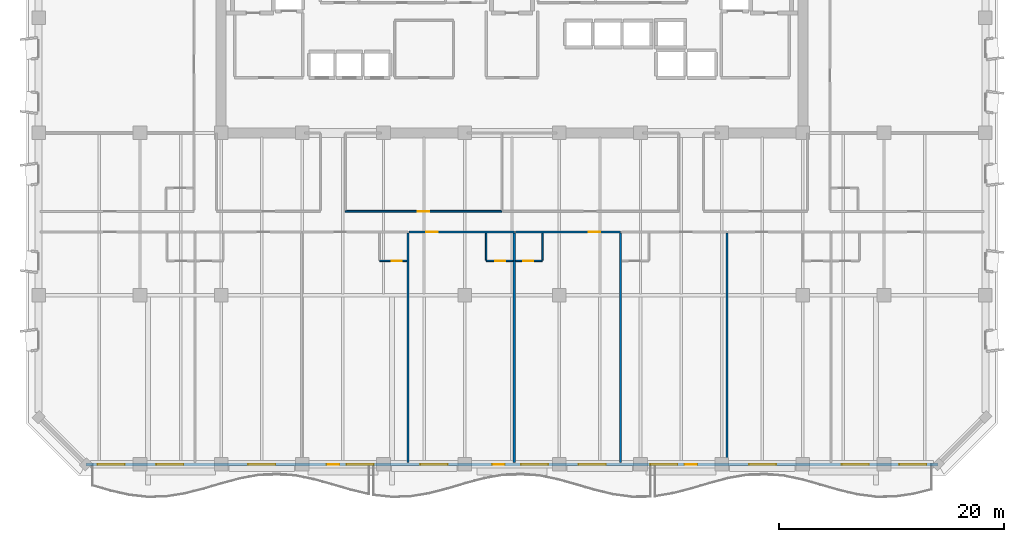
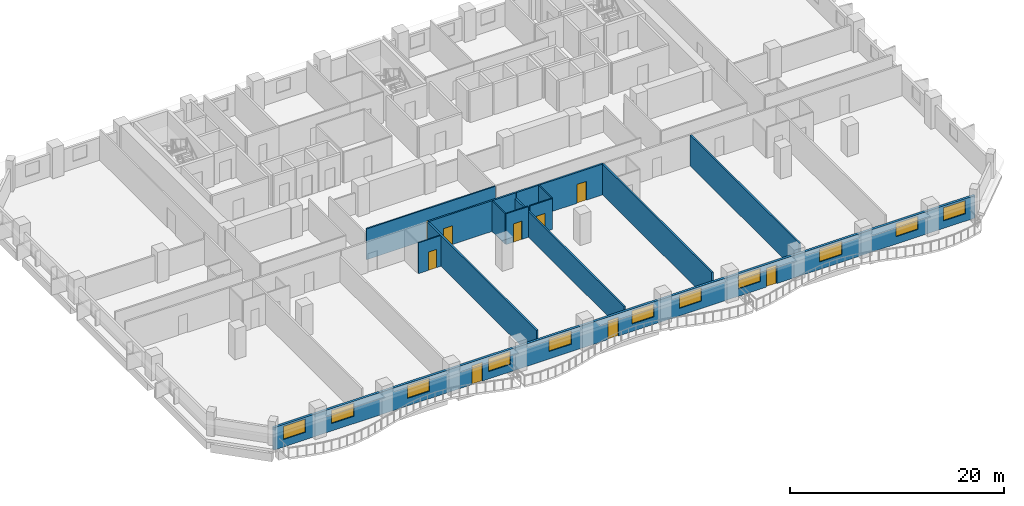
# One storey, part 5 of 14: 13 walls, 11 windows, 9 doors, 20 openings.
"""IFC4 building model written with IfcOpenShell, lengths in metres."""

from ifc_helpers import new_model, si_unit, direction, frame, frame_2d, origin, place, context, subcontext, project, spatial, rectangle, extrude, material, layer, layer_set, type_object, element, fill, save


model = new_model("IFC4")

# Units and contexts
model_context = context("Model", 3, precision=1e-05, world=origin(), true_north=direction((0.0, 1.0)))
body_context = subcontext(model_context, "Body", "Model", "MODEL_VIEW")
ifc_project = project(units=[si_unit("LENGTHUNIT", "METRE"), si_unit("AREAUNIT", "SQUARE_METRE"), si_unit("VOLUMEUNIT", "CUBIC_METRE"), si_unit("PLANEANGLEUNIT", "RADIAN"), si_unit("MASSUNIT", "GRAM", prefix="KILO")], contexts=[model_context])

# Site, building, storey
site_placement = place(None, origin())
site = spatial("IfcSite", under=ifc_project, at=site_placement, CompositionType="ELEMENT")
building_placement = place(site_placement, origin())
building = spatial("IfcBuilding", under=site, at=building_placement, Name="Kaelvorn Grand Hotel", CompositionType="ELEMENT")
storey_placement = place(building_placement, frame((0.0, 0.0, 93.050048828125)))
storey = spatial("IfcBuildingStorey", under=building, at=storey_placement, Name="L21", CompositionType="ELEMENT", Elevation=93.050048828125)

# Wall, openings, doors, windows
ifc_material_1 = material(Name="Concrete C40/50", Category="concrete")
ifc_layer_1 = layer(ifc_material_1, 0.260009765625)
ifc_layer_set_1 = layer_set([ifc_layer_1], Name="Concrete C40/50")
wall_type_1 = type_object("IfcWallType", Name="WL-EXT-260-C40", PredefinedType="SOLIDWALL", material=ifc_layer_set_1)
wall_1_placement = place(storey_placement, frame((4.199951171875, 0.0, 0.0), z_axis=(0.0, 0.0, 1.0), x_axis=(1.0, 0.0, 0.0)))
wall_1 = element("IfcWall", 1, at=wall_1_placement, inside=storey, type_object=wall_type_1, Name="L21 Exterior Architectural Concrete Wall 01", PredefinedType="SOLIDWALL", context=body_context, shape_type="SweptSolid", body=[
    extrude(rectangle(XDim=75.60009765625, YDim=0.260009765625, at=frame_2d((37.800048828125, 0.0))), origin(), (0.0, 0.0, 1.0), 2.56005859375),
])
opening_1_placement = place(wall_1_placement, frame((21.38330078125, 0.0, 0.0)))
opening_1 = element("IfcOpeningElement", 2, at=opening_1_placement, cuts=wall_1, Name="Opening DE2", PredefinedType="OPENING", context=body_context, shape_type="SweptSolid", body=[
    extrude(rectangle(XDim=1.10009765625, YDim=2.14990234375, at=frame_2d((0.550048828125, 1.074951171875))), frame((0.0, 0.14013671875, 0.0), z_axis=(0.0, -1.0, 0.0), x_axis=(1.0, 0.0, 0.0)), (0.0, 0.0, 1.0), 0.280029296875),
])
opening_2_placement = place(wall_1_placement, frame((36.050048828125, 0.0, 0.0)))
opening_2 = element("IfcOpeningElement", 3, at=opening_2_placement, cuts=wall_1, Name="Opening DE2", PredefinedType="OPENING", context=body_context, shape_type="SweptSolid", body=[
    extrude(rectangle(XDim=1.10009765625, YDim=2.14990234375, at=frame_2d((0.550048828125, 1.074951171875))), frame((0.0, 0.14013671875, 0.0), z_axis=(0.0, -1.0, 0.0), x_axis=(1.0, 0.0, 0.0)), (0.0, 0.0, 1.0), 0.280029296875),
])
opening_3_placement = place(wall_1_placement, frame((53.11669921875, 0.0, 0.0)))
opening_3 = element("IfcOpeningElement", 4, at=opening_3_placement, cuts=wall_1, Name="Opening DE2", PredefinedType="OPENING", context=body_context, shape_type="SweptSolid", body=[
    extrude(rectangle(XDim=1.10009765625, YDim=2.14990234375, at=frame_2d((0.550048828125, 1.074951171875))), frame((0.0, 0.14013671875, 0.0), z_axis=(0.0, -1.0, 0.0), x_axis=(1.0, 0.0, 0.0)), (0.0, 0.0, 1.0), 0.280029296875),
])
opening_4_placement = place(wall_1_placement, frame((1.034912109375, 0.0, 0.85009765625)))
opening_4 = element("IfcOpeningElement", 5, at=opening_4_placement, cuts=wall_1, Name="Opening W6", PredefinedType="OPENING", context=body_context, shape_type="SweptSolid", body=[
    extrude(rectangle(XDim=2.39990234375, YDim=1.5, at=frame_2d((1.199951171875, 0.75))), frame((0.0, 0.14013671875, 0.0), z_axis=(0.0, -1.0, 0.0), x_axis=(1.0, 0.0, 0.0)), (0.0, 0.0, 1.0), 0.280029296875),
])
opening_5_placement = place(wall_1_placement, frame((6.243896484375, 0.0, 0.85009765625)))
opening_5 = element("IfcOpeningElement", 6, at=opening_5_placement, cuts=wall_1, Name="Opening W6", PredefinedType="OPENING", context=body_context, shape_type="SweptSolid", body=[
    extrude(rectangle(XDim=2.39990234375, YDim=1.5, at=frame_2d((1.199951171875, 0.75))), frame((0.0, 0.14013671875, 0.0), z_axis=(0.0, -1.0, 0.0), x_axis=(1.0, 0.0, 0.0)), (0.0, 0.0, 1.0), 0.280029296875),
])
opening_6_placement = place(wall_1_placement, frame((14.39990234375, 0.0, 0.85009765625)))
opening_6 = element("IfcOpeningElement", 7, at=opening_6_placement, cuts=wall_1, Name="Opening W6", PredefinedType="OPENING", context=body_context, shape_type="SweptSolid", body=[
    extrude(rectangle(XDim=2.39990234375, YDim=1.5, at=frame_2d((1.199951171875, 0.75))), frame((0.0, 0.14013671875, 0.0), z_axis=(0.0, -1.0, 0.0), x_axis=(1.0, 0.0, 0.0)), (0.0, 0.0, 1.0), 0.280029296875),
])
opening_7_placement = place(wall_1_placement, frame((23.126708984375, 0.0, 0.85009765625)))
opening_7 = element("IfcOpeningElement", 8, at=opening_7_placement, cuts=wall_1, Name="Opening W6", PredefinedType="OPENING", context=body_context, shape_type="SweptSolid", body=[
    extrude(rectangle(XDim=2.39990234375, YDim=1.5, at=frame_2d((1.199951171875, 0.75))), frame((0.0, 0.14013671875, 0.0), z_axis=(0.0, -1.0, 0.0), x_axis=(1.0, 0.0, 0.0)), (0.0, 0.0, 1.0), 0.280029296875),
])
opening_8_placement = place(wall_1_placement, frame((29.681396484375, 0.0, 0.85009765625)))
opening_8 = element("IfcOpeningElement", 9, at=opening_8_placement, cuts=wall_1, Name="Opening W6", PredefinedType="OPENING", context=body_context, shape_type="SweptSolid", body=[
    extrude(rectangle(XDim=2.39990234375, YDim=1.5, at=frame_2d((1.199951171875, 0.75))), frame((0.0, 0.14013671875, 0.0), z_axis=(0.0, -1.0, 0.0), x_axis=(1.0, 0.0, 0.0)), (0.0, 0.0, 1.0), 0.280029296875),
])
opening_9_placement = place(wall_1_placement, frame((38.6005859375, 0.0, 0.85009765625)))
opening_9 = element("IfcOpeningElement", 10, at=opening_9_placement, cuts=wall_1, Name="Opening W6", PredefinedType="OPENING", context=body_context, shape_type="SweptSolid", body=[
    extrude(rectangle(XDim=2.39990234375, YDim=1.5, at=frame_2d((1.199951171875, 0.75))), frame((0.0, 0.14013671875, 0.0), z_axis=(0.0, -1.0, 0.0), x_axis=(1.0, 0.0, 0.0)), (0.0, 0.0, 1.0), 0.280029296875),
])
opening_10_placement = place(wall_1_placement, frame((43.719482421875, 0.0, 0.85009765625)))
opening_10 = element("IfcOpeningElement", 11, at=opening_10_placement, cuts=wall_1, Name="Opening W6", PredefinedType="OPENING", context=body_context, shape_type="SweptSolid", body=[
    extrude(rectangle(XDim=2.39990234375, YDim=1.5, at=frame_2d((1.199951171875, 0.75))), frame((0.0, 0.14013671875, 0.0), z_axis=(0.0, -1.0, 0.0), x_axis=(1.0, 0.0, 0.0)), (0.0, 0.0, 1.0), 0.280029296875),
])
opening_11_placement = place(wall_1_placement, frame((50.0732421875, 0.0, 0.85009765625)))
opening_11 = element("IfcOpeningElement", 12, at=opening_11_placement, cuts=wall_1, Name="Opening W6", PredefinedType="OPENING", context=body_context, shape_type="SweptSolid", body=[
    extrude(rectangle(XDim=2.39990234375, YDim=1.5, at=frame_2d((1.199951171875, 0.75))), frame((0.0, 0.14013671875, 0.0), z_axis=(0.0, -1.0, 0.0), x_axis=(1.0, 0.0, 0.0)), (0.0, 0.0, 1.0), 0.280029296875),
])
opening_12_placement = place(wall_1_placement, frame((58.837890625, 0.0, 0.85009765625)))
opening_12 = element("IfcOpeningElement", 13, at=opening_12_placement, cuts=wall_1, Name="Opening W6", PredefinedType="OPENING", context=body_context, shape_type="SweptSolid", body=[
    extrude(rectangle(XDim=2.39990234375, YDim=1.5, at=frame_2d((1.199951171875, 0.75))), frame((0.0, 0.14013671875, 0.0), z_axis=(0.0, -1.0, 0.0), x_axis=(1.0, 0.0, 0.0)), (0.0, 0.0, 1.0), 0.280029296875),
])
opening_13_placement = place(wall_1_placement, frame((67.056396484375, 0.0, 0.85009765625)))
opening_13 = element("IfcOpeningElement", 14, at=opening_13_placement, cuts=wall_1, Name="Opening W6", PredefinedType="OPENING", context=body_context, shape_type="SweptSolid", body=[
    extrude(rectangle(XDim=2.39990234375, YDim=1.5, at=frame_2d((1.199951171875, 0.75))), frame((0.0, 0.14013671875, 0.0), z_axis=(0.0, -1.0, 0.0), x_axis=(1.0, 0.0, 0.0)), (0.0, 0.0, 1.0), 0.280029296875),
])
opening_14_placement = place(wall_1_placement, frame((72.1650390625, 0.0, 0.85009765625)))
opening_14 = element("IfcOpeningElement", 15, at=opening_14_placement, cuts=wall_1, Name="Opening W6", PredefinedType="OPENING", context=body_context, shape_type="SweptSolid", body=[
    extrude(rectangle(XDim=2.39990234375, YDim=1.5, at=frame_2d((1.199951171875, 0.75))), frame((0.0, 0.14013671875, 0.0), z_axis=(0.0, -1.0, 0.0), x_axis=(1.0, 0.0, 0.0)), (0.0, 0.0, 1.0), 0.280029296875),
])
ifc_material_2 = material(Name="Anodised Aluminium", Category="aluminium")
door_type_1 = type_object("IfcDoorType", Name="DR-EXT-BALC-1100x2150", OperationType="NOTDEFINED", PredefinedType="DOOR", material=ifc_material_2)
door_1_placement = place(opening_1_placement, origin())
door_1 = element("IfcDoor", 16, at=door_1_placement, inside=storey, type_object=door_type_1, Name="L21 Scalloped Balcony Glazed Door DE2-1", OperationType="SINGLE_SWING_LEFT", OverallHeight=2.14990234375, OverallWidth=1.10009765625, PredefinedType="DOOR", context=body_context, shape_type="SweptSolid", body=[
    extrude(rectangle(XDim=1.10009765625, YDim=2.14990234375, at=frame_2d((0.550048828125, 1.074951171875))), frame((0.0, 0.02490234375, 0.0), z_axis=(0.0, -1.0, 0.0), x_axis=(1.0, 0.0, 0.0)), (0.0, 0.0, 1.0), 0.050048828125),
])
fill(opening_1, door_1)
door_2_placement = place(opening_2_placement, origin())
door_2 = element("IfcDoor", 17, at=door_2_placement, inside=storey, type_object=door_type_1, Name="L21 Scalloped Balcony Glazed Door DE2-2", OperationType="SINGLE_SWING_RIGHT", OverallHeight=2.14990234375, OverallWidth=1.10009765625, PredefinedType="DOOR", context=body_context, shape_type="SweptSolid", body=[
    extrude(rectangle(XDim=1.10009765625, YDim=2.14990234375, at=frame_2d((0.550048828125, 1.074951171875))), frame((0.0, 0.02490234375, 0.0), z_axis=(0.0, -1.0, 0.0), x_axis=(1.0, 0.0, 0.0)), (0.0, 0.0, 1.0), 0.050048828125),
])
fill(opening_2, door_2)
door_3_placement = place(opening_3_placement, origin())
door_3 = element("IfcDoor", 18, at=door_3_placement, inside=storey, type_object=door_type_1, Name="L21 Scalloped Balcony Glazed Door DE2-3", OperationType="SINGLE_SWING_LEFT", OverallHeight=2.14990234375, OverallWidth=1.10009765625, PredefinedType="DOOR", context=body_context, shape_type="SweptSolid", body=[
    extrude(rectangle(XDim=1.10009765625, YDim=2.14990234375, at=frame_2d((0.550048828125, 1.074951171875))), frame((0.0, 0.02490234375, 0.0), z_axis=(0.0, -1.0, 0.0), x_axis=(1.0, 0.0, 0.0)), (0.0, 0.0, 1.0), 0.050048828125),
])
fill(opening_3, door_3)
ifc_material_3 = material(Name="Laminated Low-E Glass", Category="glass")
window_type = type_object("IfcWindowType", Name="WIN-NTH-2400x1500", PartitioningType="SINGLE_PANEL", PredefinedType="WINDOW", material=ifc_material_3)
window_1_placement = place(opening_4_placement, origin())
window_1 = element("IfcWindow", 19, at=window_1_placement, inside=storey, type_object=window_type, Name="L21 South Guestroom Ribbon Window SR01", OverallHeight=1.5, OverallWidth=2.39990234375, PartitioningType="SINGLE_PANEL", PredefinedType="WINDOW", context=body_context, shape_type="SweptSolid", body=[
    extrude(rectangle(XDim=2.39990234375, YDim=1.5, at=frame_2d((1.199951171875, 0.75))), frame((0.0, 0.030029296875, 0.0), z_axis=(0.0, -1.0, 0.0), x_axis=(1.0, 0.0, 0.0)), (0.0, 0.0, 1.0), 0.06005859375),
])
fill(opening_4, window_1)
window_2_placement = place(opening_5_placement, origin())
window_2 = element("IfcWindow", 20, at=window_2_placement, inside=storey, type_object=window_type, Name="L21 South Guestroom Ribbon Window SR02", OverallHeight=1.5, OverallWidth=2.39990234375, PartitioningType="SINGLE_PANEL", PredefinedType="WINDOW", context=body_context, shape_type="SweptSolid", body=[
    extrude(rectangle(XDim=2.39990234375, YDim=1.5, at=frame_2d((1.199951171875, 0.75))), frame((0.0, 0.030029296875, 0.0), z_axis=(0.0, -1.0, 0.0), x_axis=(1.0, 0.0, 0.0)), (0.0, 0.0, 1.0), 0.06005859375),
])
fill(opening_5, window_2)
window_3_placement = place(opening_6_placement, origin())
window_3 = element("IfcWindow", 21, at=window_3_placement, inside=storey, type_object=window_type, Name="L21 South Guestroom Ribbon Window SR03", OverallHeight=1.5, OverallWidth=2.39990234375, PartitioningType="SINGLE_PANEL", PredefinedType="WINDOW", context=body_context, shape_type="SweptSolid", body=[
    extrude(rectangle(XDim=2.39990234375, YDim=1.5, at=frame_2d((1.199951171875, 0.75))), frame((0.0, 0.030029296875, 0.0), z_axis=(0.0, -1.0, 0.0), x_axis=(1.0, 0.0, 0.0)), (0.0, 0.0, 1.0), 0.06005859375),
])
fill(opening_6, window_3)
window_4_placement = place(opening_7_placement, origin())
window_4 = element("IfcWindow", 22, at=window_4_placement, inside=storey, type_object=window_type, Name="L21 South Guestroom Ribbon Window SR04", OverallHeight=1.5, OverallWidth=2.39990234375, PartitioningType="SINGLE_PANEL", PredefinedType="WINDOW", context=body_context, shape_type="SweptSolid", body=[
    extrude(rectangle(XDim=2.39990234375, YDim=1.5, at=frame_2d((1.199951171875, 0.75))), frame((0.0, 0.030029296875, 0.0), z_axis=(0.0, -1.0, 0.0), x_axis=(1.0, 0.0, 0.0)), (0.0, 0.0, 1.0), 0.06005859375),
])
fill(opening_7, window_4)
window_5_placement = place(opening_8_placement, origin())
window_5 = element("IfcWindow", 23, at=window_5_placement, inside=storey, type_object=window_type, Name="L21 South Guestroom Ribbon Window SR05", OverallHeight=1.5, OverallWidth=2.39990234375, PartitioningType="SINGLE_PANEL", PredefinedType="WINDOW", context=body_context, shape_type="SweptSolid", body=[
    extrude(rectangle(XDim=2.39990234375, YDim=1.5, at=frame_2d((1.199951171875, 0.75))), frame((0.0, 0.030029296875, 0.0), z_axis=(0.0, -1.0, 0.0), x_axis=(1.0, 0.0, 0.0)), (0.0, 0.0, 1.0), 0.06005859375),
])
fill(opening_8, window_5)
window_6_placement = place(opening_9_placement, origin())
window_6 = element("IfcWindow", 24, at=window_6_placement, inside=storey, type_object=window_type, Name="L21 South Guestroom Ribbon Window SR06", OverallHeight=1.5, OverallWidth=2.39990234375, PartitioningType="SINGLE_PANEL", PredefinedType="WINDOW", context=body_context, shape_type="SweptSolid", body=[
    extrude(rectangle(XDim=2.39990234375, YDim=1.5, at=frame_2d((1.199951171875, 0.75))), frame((0.0, 0.030029296875, 0.0), z_axis=(0.0, -1.0, 0.0), x_axis=(1.0, 0.0, 0.0)), (0.0, 0.0, 1.0), 0.06005859375),
])
fill(opening_9, window_6)
window_7_placement = place(opening_10_placement, origin())
window_7 = element("IfcWindow", 25, at=window_7_placement, inside=storey, type_object=window_type, Name="L21 South Guestroom Ribbon Window SR07", OverallHeight=1.5, OverallWidth=2.39990234375, PartitioningType="SINGLE_PANEL", PredefinedType="WINDOW", context=body_context, shape_type="SweptSolid", body=[
    extrude(rectangle(XDim=2.39990234375, YDim=1.5, at=frame_2d((1.199951171875, 0.75))), frame((0.0, 0.030029296875, 0.0), z_axis=(0.0, -1.0, 0.0), x_axis=(1.0, 0.0, 0.0)), (0.0, 0.0, 1.0), 0.06005859375),
])
fill(opening_10, window_7)
window_8_placement = place(opening_11_placement, origin())
window_8 = element("IfcWindow", 26, at=window_8_placement, inside=storey, type_object=window_type, Name="L21 South Guestroom Ribbon Window SR08", OverallHeight=1.5, OverallWidth=2.39990234375, PartitioningType="SINGLE_PANEL", PredefinedType="WINDOW", context=body_context, shape_type="SweptSolid", body=[
    extrude(rectangle(XDim=2.39990234375, YDim=1.5, at=frame_2d((1.199951171875, 0.75))), frame((0.0, 0.030029296875, 0.0), z_axis=(0.0, -1.0, 0.0), x_axis=(1.0, 0.0, 0.0)), (0.0, 0.0, 1.0), 0.06005859375),
])
fill(opening_11, window_8)
window_9_placement = place(opening_12_placement, origin())
window_9 = element("IfcWindow", 27, at=window_9_placement, inside=storey, type_object=window_type, Name="L21 South Guestroom Ribbon Window SR09", OverallHeight=1.5, OverallWidth=2.39990234375, PartitioningType="SINGLE_PANEL", PredefinedType="WINDOW", context=body_context, shape_type="SweptSolid", body=[
    extrude(rectangle(XDim=2.39990234375, YDim=1.5, at=frame_2d((1.199951171875, 0.75))), frame((0.0, 0.030029296875, 0.0), z_axis=(0.0, -1.0, 0.0), x_axis=(1.0, 0.0, 0.0)), (0.0, 0.0, 1.0), 0.06005859375),
])
fill(opening_12, window_9)
window_10_placement = place(opening_13_placement, origin())
window_10 = element("IfcWindow", 28, at=window_10_placement, inside=storey, type_object=window_type, Name="L21 South Guestroom Ribbon Window SR10", OverallHeight=1.5, OverallWidth=2.39990234375, PartitioningType="SINGLE_PANEL", PredefinedType="WINDOW", context=body_context, shape_type="SweptSolid", body=[
    extrude(rectangle(XDim=2.39990234375, YDim=1.5, at=frame_2d((1.199951171875, 0.75))), frame((0.0, 0.030029296875, 0.0), z_axis=(0.0, -1.0, 0.0), x_axis=(1.0, 0.0, 0.0)), (0.0, 0.0, 1.0), 0.06005859375),
])
fill(opening_13, window_10)
window_11_placement = place(opening_14_placement, origin())
window_11 = element("IfcWindow", 29, at=window_11_placement, inside=storey, type_object=window_type, Name="L21 South Guestroom Ribbon Window SR11", OverallHeight=1.5, OverallWidth=2.39990234375, PartitioningType="SINGLE_PANEL", PredefinedType="WINDOW", context=body_context, shape_type="SweptSolid", body=[
    extrude(rectangle(XDim=2.39990234375, YDim=1.5, at=frame_2d((1.199951171875, 0.75))), frame((0.0, 0.030029296875, 0.0), z_axis=(0.0, -1.0, 0.0), x_axis=(1.0, 0.0, 0.0)), (0.0, 0.0, 1.0), 0.06005859375),
])
fill(opening_14, window_11)

# Wall, opening, door
ifc_material_4 = material(Name="Moisture-Resistant Tile & Stud Board")
ifc_layer_2 = layer(ifc_material_4, 0.125)
ifc_layer_set_2 = layer_set([ifc_layer_2], Name="Moisture-Resistant Tile & Stud Board")
wall_type_2 = type_object("IfcWallType", Name="WL-PART-125-WET", PredefinedType="PARTITIONING", material=ifc_layer_set_2)
wall_2_placement = place(storey_placement, frame((30.26318359375, 18.050048828125, 0.0), z_axis=(0.0, 0.0, 1.0), x_axis=(1.0, 0.0, 0.0)))
wall_2 = element("IfcWall", 30, at=wall_2_placement, inside=storey, type_object=wall_type_2, Name="L21 En-suite Bathroom L21-03 S Partition", PredefinedType="PARTITIONING", context=body_context, shape_type="SweptSolid", body=[
    extrude(rectangle(XDim=2.405029296875, YDim=0.125, at=frame_2d((1.20263671875, 0.0))), origin(), (0.0, 0.0, 1.0), 3.510009765625),
])
opening_15_placement = place(wall_2_placement, frame((1.050048828125, 0.0, 0.0)))
opening_15 = element("IfcOpeningElement", 31, at=opening_15_placement, cuts=wall_2, Name="Opening DI4", PredefinedType="OPENING", context=body_context, shape_type="SweptSolid", body=[
    extrude(rectangle(XDim=0.89990234375, YDim=2.10009765625, at=frame_2d((0.449951171875, 1.050048828125))), frame((0.0, 0.072509765625, 0.0), z_axis=(0.0, -1.0, 0.0), x_axis=(1.0, 0.0, 0.0)), (0.0, 0.0, 1.0), 0.14501953125),
])
ifc_material_5 = material(Name="Timber Veneer Leaf", Category="wood")
door_type_2 = type_object("IfcDoorType", Name="DR-INT-BATH-900x2100", OperationType="NOTDEFINED", PredefinedType="DOOR", material=ifc_material_5)
door_4_placement = place(opening_15_placement, origin())
door_4 = element("IfcDoor", 32, at=door_4_placement, inside=storey, type_object=door_type_2, Name="L21 En-suite Bathroom L21-03 Door", OperationType="SINGLE_SWING_LEFT", OverallHeight=2.10009765625, OverallWidth=0.89990234375, PredefinedType="DOOR", context=body_context, shape_type="SweptSolid", body=[
    extrude(rectangle(XDim=0.89990234375, YDim=2.10009765625, at=frame_2d((0.449951171875, 1.050048828125))), frame((0.0, 0.02490234375, 0.0), z_axis=(0.0, -1.0, 0.0), x_axis=(1.0, 0.0, 0.0)), (0.0, 0.0, 1.0), 0.050048828125),
])
fill(opening_15, door_4)

wall_3_placement = place(storey_placement, frame((39.70068359375, 18.050048828125, 0.0), z_axis=(0.0, 0.0, 1.0), x_axis=(1.0, 0.0, 0.0)))
wall_3 = element("IfcWall", 33, at=wall_3_placement, inside=storey, type_object=wall_type_2, Name="L21 En-suite Bathroom L21-04 S Partition", PredefinedType="PARTITIONING", context=body_context, shape_type="SweptSolid", body=[
    extrude(rectangle(XDim=2.405029296875, YDim=0.125, at=frame_2d((1.20263671875, 0.0))), origin(), (0.0, 0.0, 1.0), 3.510009765625),
])
opening_16_placement = place(wall_3_placement, frame((0.800048828125, 0.0, 0.0)))
opening_16 = element("IfcOpeningElement", 34, at=opening_16_placement, cuts=wall_3, Name="Opening DI4", PredefinedType="OPENING", context=body_context, shape_type="SweptSolid", body=[
    extrude(rectangle(XDim=0.89990234375, YDim=2.10009765625, at=frame_2d((0.449951171875, 1.050048828125))), frame((0.0, 0.072509765625, 0.0), z_axis=(0.0, -1.0, 0.0), x_axis=(1.0, 0.0, 0.0)), (0.0, 0.0, 1.0), 0.14501953125),
])
door_5_placement = place(opening_16_placement, origin())
door_5 = element("IfcDoor", 35, at=door_5_placement, inside=storey, type_object=door_type_2, Name="L21 En-suite Bathroom L21-04 Door", OperationType="SINGLE_SWING_LEFT", OverallHeight=2.10009765625, OverallWidth=0.89990234375, PredefinedType="DOOR", context=body_context, shape_type="SweptSolid", body=[
    extrude(rectangle(XDim=0.89990234375, YDim=2.10009765625, at=frame_2d((0.449951171875, 1.050048828125))), frame((0.0, 0.02490234375, 0.0), z_axis=(0.0, -1.0, 0.0), x_axis=(1.0, 0.0, 0.0)), (0.0, 0.0, 1.0), 0.050048828125),
])
fill(opening_16, door_5)

# Wall
wall_4_placement = place(storey_placement, frame((39.70068359375, 18.117431640625, 0.0), z_axis=(0.0, 0.0, 1.0), x_axis=(0.0, 1.0, 0.0)))
element("IfcWall", 36, at=wall_4_placement, inside=storey, type_object=wall_type_2, Name="L21 En-suite Bathroom L21-04 W Partition", PredefinedType="PARTITIONING", context=body_context, shape_type="SweptSolid", body=[
    extrude(rectangle(XDim=2.387451171875, YDim=0.125, at=frame_2d((1.19384765625, 0.0))), origin(), (0.0, 0.0, 1.0), 3.510009765625),
])

# Wall, opening, door
wall_5_placement = place(storey_placement, frame((42.2958984375, 18.050048828125, 0.0), z_axis=(0.0, 0.0, 1.0), x_axis=(1.0, 0.0, 0.0)))
wall_5 = element("IfcWall", 37, at=wall_5_placement, inside=storey, type_object=wall_type_2, Name="L21 En-suite Bathroom L21-05 S Partition", PredefinedType="PARTITIONING", context=body_context, shape_type="SweptSolid", body=[
    extrude(rectangle(XDim=2.40478515625, YDim=0.125, at=frame_2d((1.202392578125, 0.0))), origin(), (0.0, 0.0, 1.0), 3.510009765625),
])
opening_17_placement = place(wall_5_placement, frame((0.705078125, 0.0, 0.0)))
opening_17 = element("IfcOpeningElement", 38, at=opening_17_placement, cuts=wall_5, Name="Opening DI4", PredefinedType="OPENING", context=body_context, shape_type="SweptSolid", body=[
    extrude(rectangle(XDim=0.89990234375, YDim=2.10009765625, at=frame_2d((0.449951171875, 1.050048828125))), frame((0.0, 0.072509765625, 0.0), z_axis=(0.0, -1.0, 0.0), x_axis=(1.0, 0.0, 0.0)), (0.0, 0.0, 1.0), 0.14501953125),
])
door_6_placement = place(opening_17_placement, origin())
door_6 = element("IfcDoor", 39, at=door_6_placement, inside=storey, type_object=door_type_2, Name="L21 En-suite Bathroom L21-05 Door", OperationType="SINGLE_SWING_LEFT", OverallHeight=2.10009765625, OverallWidth=0.89990234375, PredefinedType="DOOR", context=body_context, shape_type="SweptSolid", body=[
    extrude(rectangle(XDim=0.89990234375, YDim=2.10009765625, at=frame_2d((0.449951171875, 1.050048828125))), frame((0.0, 0.02490234375, 0.0), z_axis=(0.0, -1.0, 0.0), x_axis=(1.0, 0.0, 0.0)), (0.0, 0.0, 1.0), 0.050048828125),
])
fill(opening_17, door_6)

# Wall
wall_6_placement = place(storey_placement, frame((44.70068359375, 18.117431640625, 0.0), z_axis=(0.0, 0.0, 1.0), x_axis=(0.0, 1.0, 0.0)))
element("IfcWall", 40, at=wall_6_placement, inside=storey, type_object=wall_type_2, Name="L21 En-suite Bathroom L21-05 E Partition", PredefinedType="PARTITIONING", context=body_context, shape_type="SweptSolid", body=[
    extrude(rectangle(XDim=2.387451171875, YDim=0.125, at=frame_2d((1.19384765625, 0.0))), origin(), (0.0, 0.0, 1.0), 3.510009765625),
])

# Wall, opening, door
ifc_material_6 = material(Name="Acoustic Gypsum & Stud Partition")
ifc_layer_3 = layer(ifc_material_6, 0.14990234375)
ifc_layer_set_3 = layer_set([ifc_layer_3], Name="Acoustic Gypsum & Stud Partition")
wall_type_3 = type_object("IfcWallType", Name="WL-PART-150-EI60", PredefinedType="PARTITIONING", material=ifc_layer_set_3)
wall_7_placement = place(storey_placement, frame((27.199951171875, 22.449951171875, 0.0), z_axis=(0.0, 0.0, 1.0), x_axis=(1.0, 0.0, 0.0)))
wall_7 = element("IfcWall", 41, at=wall_7_placement, inside=storey, type_object=wall_type_3, Name="L21 Pastry & Tea Kitchen S Partition", PredefinedType="PARTITIONING", context=body_context, shape_type="SweptSolid", body=[
    extrude(rectangle(XDim=13.900146484375, YDim=0.14990234375, at=frame_2d((6.9501953125, 0.0))), origin(), (0.0, 0.0, 1.0), 3.510009765625),
])
opening_18_placement = place(wall_7_placement, frame((6.449951171875, 0.0, 0.0)))
opening_18 = element("IfcOpeningElement", 42, at=opening_18_placement, cuts=wall_7, Name="Opening DI3", PredefinedType="OPENING", context=body_context, shape_type="SweptSolid", body=[
    extrude(rectangle(XDim=1.0, YDim=2.14990234375, at=frame_2d((0.5, 1.074951171875))), frame((0.0, 0.0849609375, 0.0), z_axis=(0.0, -1.0, 0.0), x_axis=(1.0, 0.0, 0.0)), (0.0, 0.0, 1.0), 0.169921875),
])
ifc_material_7 = material(Name="Timber Veneer Fire Leaf", Category="wood")
door_type_3 = type_object("IfcDoorType", Name="DR-INT-GUEST-1000x2150", OperationType="NOTDEFINED", PredefinedType="DOOR", material=ifc_material_7)
door_7_placement = place(opening_18_placement, origin())
door_7 = element("IfcDoor", 43, at=door_7_placement, inside=storey, type_object=door_type_3, Name="L21 Pastry & Tea Kitchen Door", OperationType="SINGLE_SWING_LEFT", OverallHeight=2.14990234375, OverallWidth=1.0, PredefinedType="DOOR", context=body_context, shape_type="SweptSolid", body=[
    extrude(rectangle(XDim=1.0, YDim=2.14990234375, at=frame_2d((0.5, 1.074951171875))), frame((0.0, 0.02490234375, 0.0), z_axis=(0.0, -1.0, 0.0), x_axis=(1.0, 0.0, 0.0)), (0.0, 0.0, 1.0), 0.050048828125),
])
fill(opening_18, door_7)

# Wall
ifc_layer_4 = layer(ifc_material_6, 0.179931640625)
ifc_layer_set_4 = layer_set([ifc_layer_4], Name="Acoustic Gypsum & Stud Partition")
wall_type_4 = type_object("IfcWallType", Name="WL-PART-180-EI60", PredefinedType="PARTITIONING", material=ifc_layer_set_4)
wall_8_placement = place(storey_placement, frame((32.76318359375, 0.14990234375, 0.0), z_axis=(0.0, 0.0, 1.0), x_axis=(0.0, 1.0, 0.0)))
element("IfcWall", 44, at=wall_8_placement, inside=storey, type_object=wall_type_4, Name="L21 Deluxe Panoramic Suite L21-03 E Partition", PredefinedType="PARTITIONING", context=body_context, shape_type="SweptSolid", body=[
    extrude(rectangle(XDim=20.35498046875, YDim=0.179931640625, at=frame_2d((10.177490234375, 0.0))), origin(), (0.0, 0.0, 1.0), 3.510009765625),
])

# Wall, opening, door
wall_9_placement = place(storey_placement, frame((32.858154296875, 20.60009765625, 0.0), z_axis=(0.0, 0.0, 1.0), x_axis=(1.0, 0.0, 0.0)))
wall_9 = element("IfcWall", 45, at=wall_9_placement, inside=storey, type_object=wall_type_4, Name="L21 Deluxe Panoramic Suite L21-04 N Partition", PredefinedType="PARTITIONING", context=body_context, shape_type="SweptSolid", body=[
    extrude(rectangle(XDim=9.342529296875, YDim=0.179931640625, at=frame_2d((4.67138671875, 0.0))), origin(), (0.0, 0.0, 1.0), 3.510009765625),
])
opening_19_placement = place(wall_9_placement, frame((1.533447265625, 0.0, 0.0)))
opening_19 = element("IfcOpeningElement", 46, at=opening_19_placement, cuts=wall_9, Name="Opening DI3", PredefinedType="OPENING", context=body_context, shape_type="SweptSolid", body=[
    extrude(rectangle(XDim=1.0, YDim=2.14990234375, at=frame_2d((0.5, 1.074951171875))), frame((0.0, 0.10009765625, 0.0), z_axis=(0.0, -1.0, 0.0), x_axis=(1.0, 0.0, 0.0)), (0.0, 0.0, 1.0), 0.199951171875),
])
door_8_placement = place(opening_19_placement, origin())
door_8 = element("IfcDoor", 47, at=door_8_placement, inside=storey, type_object=door_type_3, Name="L21 Deluxe Panoramic Suite L21-04 Door", OperationType="SINGLE_SWING_RIGHT", OverallHeight=2.14990234375, OverallWidth=1.0, PredefinedType="DOOR", context=body_context, shape_type="SweptSolid", body=[
    extrude(rectangle(XDim=1.0, YDim=2.14990234375, at=frame_2d((0.5, 1.074951171875))), frame((0.0, 0.02490234375, 0.0), z_axis=(0.0, -1.0, 0.0), x_axis=(1.0, 0.0, 0.0)), (0.0, 0.0, 1.0), 0.050048828125),
])
fill(opening_19, door_8)

# Wall
wall_10_placement = place(storey_placement, frame((42.20068359375, 0.14990234375, 0.0), z_axis=(0.0, 0.0, 1.0), x_axis=(0.0, 1.0, 0.0)))
element("IfcWall", 48, at=wall_10_placement, inside=storey, type_object=wall_type_4, Name="L21 Deluxe Panoramic Suite L21-04 E Partition", PredefinedType="PARTITIONING", context=body_context, shape_type="SweptSolid", body=[
    extrude(rectangle(XDim=20.35498046875, YDim=0.179931640625, at=frame_2d((10.177490234375, 0.0))), origin(), (0.0, 0.0, 1.0), 2.897705078125),
])

# Wall, opening, door
wall_11_placement = place(storey_placement, frame((42.2958984375, 20.60009765625, 0.0), z_axis=(0.0, 0.0, 1.0), x_axis=(1.0, 0.0, 0.0)))
wall_11 = element("IfcWall", 49, at=wall_11_placement, inside=storey, type_object=wall_type_4, Name="L21 Deluxe Panoramic Suite L21-05 N Partition", PredefinedType="PARTITIONING", context=body_context, shape_type="SweptSolid", body=[
    extrude(rectangle(XDim=9.342529296875, YDim=0.179931640625, at=frame_2d((4.67138671875, 0.0))), origin(), (0.0, 0.0, 1.0), 3.510009765625),
])
opening_20_placement = place(wall_11_placement, frame((6.513427734375, 0.0, 0.0)))
opening_20 = element("IfcOpeningElement", 50, at=opening_20_placement, cuts=wall_11, Name="Opening DI3", PredefinedType="OPENING", context=body_context, shape_type="SweptSolid", body=[
    extrude(rectangle(XDim=1.0, YDim=2.14990234375, at=frame_2d((0.5, 1.074951171875))), frame((0.0, 0.10009765625, 0.0), z_axis=(0.0, -1.0, 0.0), x_axis=(1.0, 0.0, 0.0)), (0.0, 0.0, 1.0), 0.199951171875),
])
door_9_placement = place(opening_20_placement, origin())
door_9 = element("IfcDoor", 51, at=door_9_placement, inside=storey, type_object=door_type_3, Name="L21 Deluxe Panoramic Suite L21-05 Door", OperationType="SINGLE_SWING_RIGHT", OverallHeight=2.14990234375, OverallWidth=1.0, PredefinedType="DOOR", context=body_context, shape_type="SweptSolid", body=[
    extrude(rectangle(XDim=1.0, YDim=2.14990234375, at=frame_2d((0.5, 1.074951171875))), frame((0.0, 0.02490234375, 0.0), z_axis=(0.0, -1.0, 0.0), x_axis=(1.0, 0.0, 0.0)), (0.0, 0.0, 1.0), 0.050048828125),
])
fill(opening_20, door_9)

# Walls
for number, where, z_axis, x_axis, name in (
    (52, (51.638427734375, 0.14990234375, 0.0), (0.0, 0.0, 1.0), (0.0, 1.0, 0.0), "L21 Deluxe Panoramic Suite L21-05 E Partition"),
    (53, (61.076171875, 0.14990234375, 0.0), (0.0, 0.0, 1.0), (0.0, 1.0, 0.0), "L21 Deluxe Panoramic Suite L21-06 E Partition"),
):
    element("IfcWall", number, at=place(storey_placement, frame(where, z_axis=z_axis, x_axis=x_axis)), inside=storey, type_object=wall_type_4, Name=name, PredefinedType="PARTITIONING", context=body_context, shape_type="SweptSolid", body=[
        extrude(rectangle(XDim=20.35498046875, YDim=0.179931640625, at=frame_2d((10.177490234375, 0.0))), origin(), (0.0, 0.0, 1.0), 3.510009765625),
    ])

save(model, "model.ifc")
